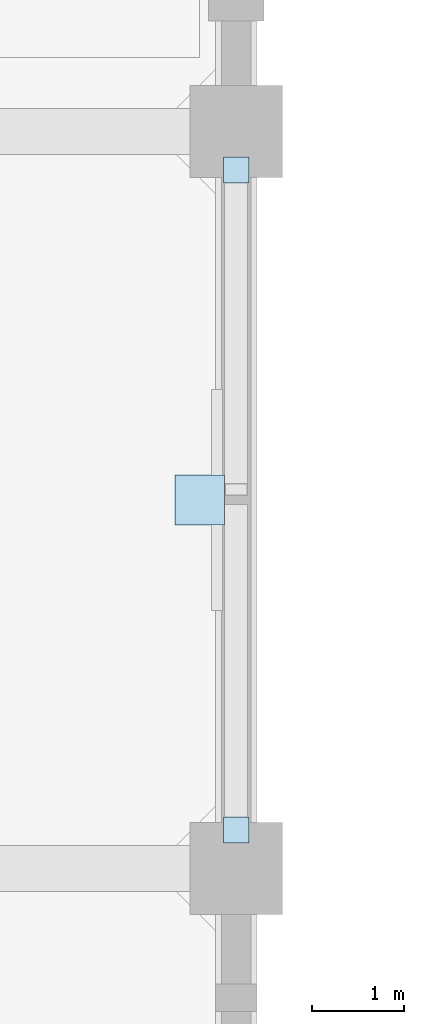
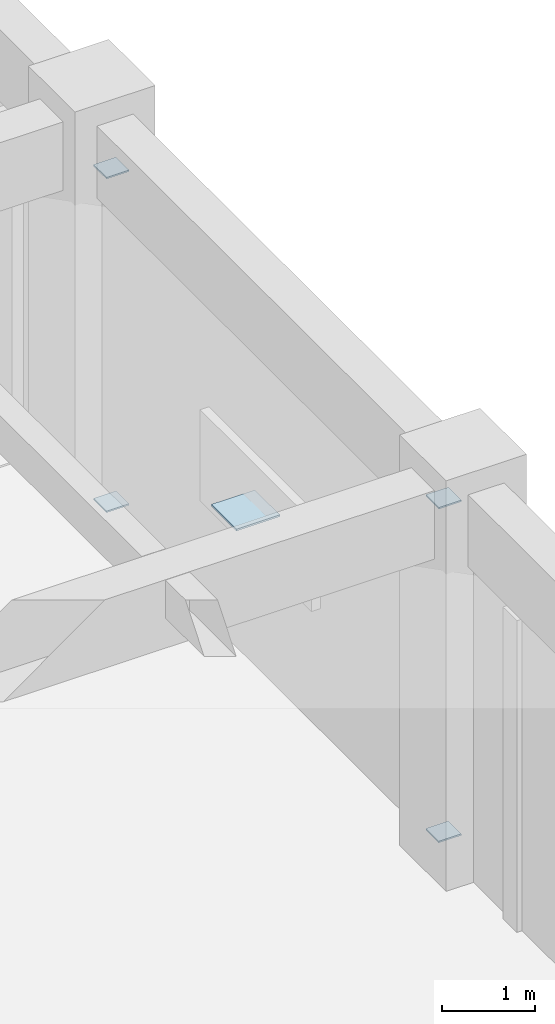
# One storey, part 70 of 90: 5 plates.
"""IFC4 building model written with IfcOpenShell, lengths in metres."""

from ifc_helpers import new_model, si_unit, direction, frame, origin, origin_2d, place, context, subcontext, project, spatial, rectangle, extrude, material, layer, layer_set, type_object, element, save


model = new_model("IFC4")

# Units and contexts
model_context = context("Model", 3, precision=1e-05, world=origin(), true_north=direction((0.0, 1.0)))
body_context = subcontext(model_context, "Body", "Model", "MODEL_VIEW")
ifc_project = project(units=[si_unit("LENGTHUNIT", "METRE"), si_unit("AREAUNIT", "SQUARE_METRE"), si_unit("VOLUMEUNIT", "CUBIC_METRE"), si_unit("PLANEANGLEUNIT", "RADIAN"), si_unit("MASSUNIT", "GRAM", prefix="KILO")], contexts=[model_context])

# Site, building, storey
site_placement = place(None, origin())
site = spatial("IfcSite", under=ifc_project, at=site_placement, CompositionType="ELEMENT")
building_placement = place(site_placement, origin())
building = spatial("IfcBuilding", under=site, at=building_placement, Name="Canggui Botanical Conservatory", CompositionType="ELEMENT")
storey_placement = place(building_placement, origin())
storey = spatial("IfcBuildingStorey", under=building, at=storey_placement, Name="L01", CompositionType="ELEMENT", Elevation=0.0)

# Plates
ifc_material_1 = material(Name="Steel Q355B", Category="steel")
ifc_layer_1 = layer(ifc_material_1, 0.02001953125, Name="Steel Q355B", Category="steel")
ifc_layer_set_1 = layer_set([ifc_layer_1], Name="Steel Q355B")
plate_type_1 = type_object("IfcPlateType", Name="PLT-CAP-20", PredefinedType="USERDEFINED", material=ifc_layer_set_1)
for number, where, z_axis, x_axis, name in (
    (1, (177.39990234375, 42.419921875, 0.0400390625), (0.0, 0.0, 1.0), (1.0, 0.0, 0.0), "CP-ZC-L01-1"),
    (2, (177.39990234375, 49.580078125, 0.0400390625), (0.0, 0.0, 1.0), (1.0, 0.0, 0.0), "CP-ZC-L01-2"),
    (3, (177.39990234375, 42.419921875, 4.429931640625), (0.0, 0.0, 1.0), (1.0, 0.0, 0.0), "CP-ZC-L01-3"),
    (4, (177.39990234375, 49.580078125, 4.429931640625), (0.0, 0.0, 1.0), (1.0, 0.0, 0.0), "CP-ZC-L01-4"),
):
    element("IfcPlate", number, at=place(storey_placement, frame(where, z_axis=z_axis, x_axis=x_axis)), inside=storey, type_object=plate_type_1, Name=name, ObjectType="END CAP PLATE", PredefinedType="USERDEFINED", context=body_context, shape_type="SweptSolid", body=[
        extrude(rectangle(XDim=0.280029296875, YDim=0.280029296875, at=origin_2d()), origin(), (0.0, 0.0, 1.0), 0.02001953125),
    ])
ifc_material_2 = material(Name="Steel Q355C", Category="steel")
ifc_layer_2 = layer(ifc_material_2, 0.02392578125, Name="Steel Q355C", Category="steel")
ifc_layer_set_2 = layer_set([ifc_layer_2], Name="Steel Q355C")
plate_type_2 = type_object("IfcPlateType", Name="PLT-GUSSET-24", PredefinedType="USERDEFINED", material=ifc_layer_set_2)
plate_placement = place(storey_placement, frame((177.0048828125, 46.0, 2.233154296875), z_axis=(0.0, 0.0, 1.0), x_axis=(1.0, 0.0, 0.0)))
element("IfcPlate", 5, at=plate_placement, inside=storey, type_object=plate_type_2, Name="Seismic X-Brace Central Crossing Gusset Plate L01", ObjectType="GUSSET PLATE", PredefinedType="USERDEFINED", context=body_context, shape_type="SweptSolid", body=[
    extrude(rectangle(XDim=0.5400390625, YDim=0.5400390625, at=origin_2d()), origin(), (0.0, 0.0, 1.0), 0.02392578125),
])

save(model, "model.ifc")
